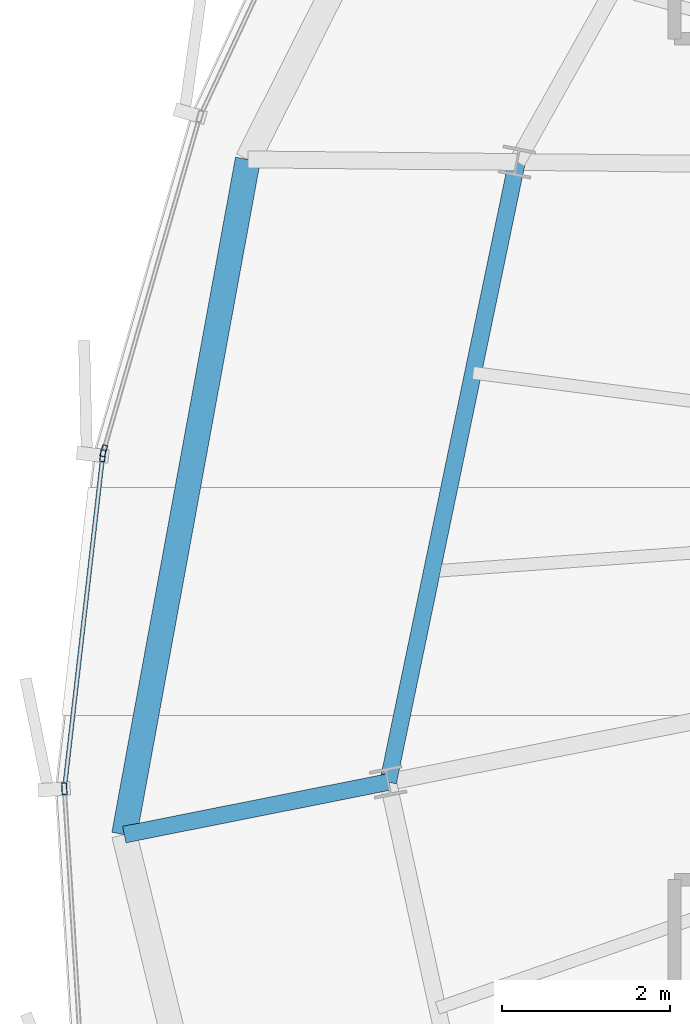
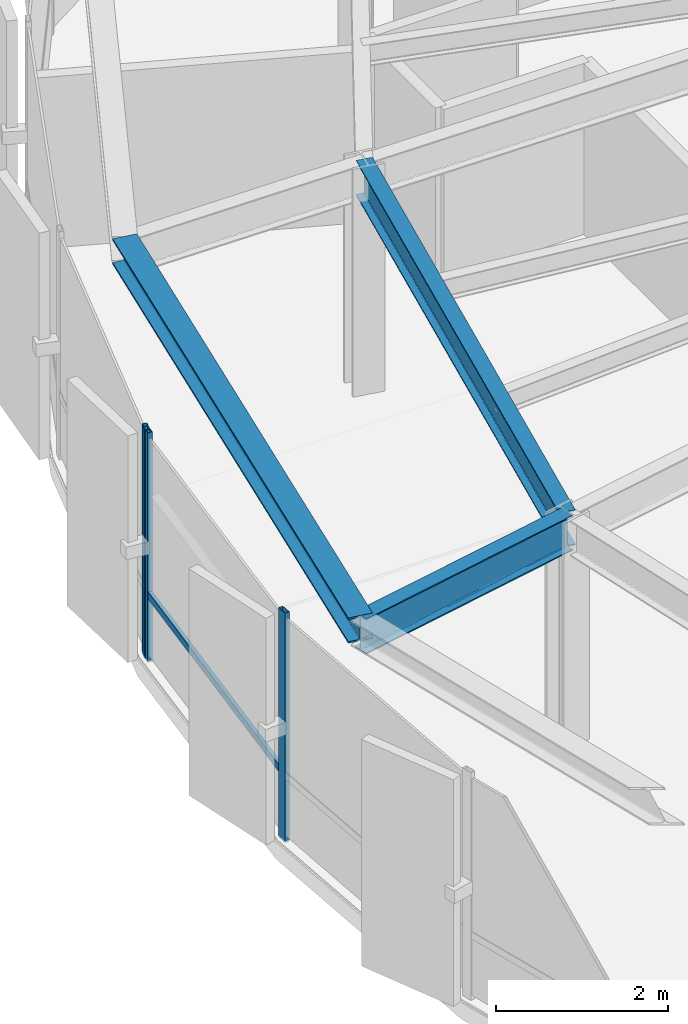
# One storey, part 8 of 33: 4 members, 3 beams, 2 elements without a shape of their own.
"""IFC4 building model written with IfcOpenShell, lengths in metres."""

from ifc_helpers import new_model, si_unit, direction, frame, origin, origin_2d, place, context, subcontext, project, spatial, hollow_rectangle, i_section, extrude, source, transform, mapped, material, layer, layer_set, material_profile, profile_set, type_object, element, aggregate, save


model = new_model("IFC4")

# Units and contexts
model_context = context("Model", 3, precision=1e-05, world=origin(), true_north=direction((0.0, 1.0)))
body_context = subcontext(model_context, "Body", "Model", "MODEL_VIEW")
ifc_project = project(units=[si_unit("LENGTHUNIT", "METRE"), si_unit("AREAUNIT", "SQUARE_METRE"), si_unit("VOLUMEUNIT", "CUBIC_METRE"), si_unit("PLANEANGLEUNIT", "RADIAN"), si_unit("MASSUNIT", "GRAM", prefix="KILO"), si_unit("THERMODYNAMICTEMPERATUREUNIT", "KELVIN")], contexts=[model_context])

# Site, building, storey
site_placement = place(None, origin())
site = spatial("IfcSite", under=ifc_project, at=site_placement, CompositionType="ELEMENT")
building_placement = place(site_placement, origin())
building = spatial("IfcBuilding", under=site, at=building_placement, Name="Kethvar Cultural Tower", CompositionType="ELEMENT")
storey_placement = place(building_placement, frame((0.0, 0.0, 211.39990234375)))
storey = spatial("IfcBuildingStorey", under=building, at=storey_placement, Name="L55", CompositionType="ELEMENT", Elevation=211.39990234375)

# Beams
ifc_material_1 = material(Name="Steel S355J2", Category="steel")
ifc_material_profile_1 = material_profile(ifc_material_1, i_section(OverallWidth=0.199951171875, OverallDepth=0.5, WebThickness=0.01025390625, FlangeThickness=0.01611328125, FilletRadius=0.02099609375, at=origin_2d()), Name="Steel S355J2 — IPE500")
ifc_profile_set_1 = profile_set([ifc_material_profile_1], Name="Steel S355J2 — IPE500")
beam_type_1 = type_object("IfcBeamType", Name="BM-IPE500", PredefinedType="BEAM", material=ifc_profile_set_1)
shared_shape_1 = source(origin(), body_context, "Body", "SweptSolid", [
    extrude(i_section(OverallWidth=0.199951171875, OverallDepth=0.5, WebThickness=0.01025390625, FlangeThickness=0.01611328125, FilletRadius=0.02099609375, at=origin_2d()), origin(), (0.0, 0.0, 1.0), 3.199951171875),
])
beam_1_placement = place(storey_placement, frame((27.492919921875, 23.959716796875, 3.008056640625), z_axis=(-0.980770949178, -0.195162356126, 0.0), x_axis=(0.195162356126, -0.980770949178, 0.0)))
element("IfcBeam", 1, at=beam_1_placement, inside=storey, type_object=beam_type_1, Name="L55 Perimeter Cantilever Beam RC-09", PredefinedType="BEAM", context=body_context, shape_type="MappedRepresentation", body=[
    mapped(shared_shape_1, transform((0.0, 0.0, 0.0), scale=1.0)),
])
shared_shape_2 = source(origin(), body_context, "Body", "SweptSolid", [
    extrude(i_section(OverallWidth=0.199951171875, OverallDepth=0.5, WebThickness=0.01025390625, FlangeThickness=0.01611328125, FilletRadius=0.02099609375, at=origin_2d()), origin(), (0.0, 0.0, 1.0), 7.533447265625),
])
beam_2_placement = place(storey_placement, frame((29.02490234375, 31.335693359375, 3.008056640625), z_axis=(-0.203358905185, -0.979104261906, 0.0), x_axis=(0.979104261906, -0.203358905185, 0.0)))
element("IfcBeam", 2, at=beam_2_placement, inside=storey, type_object=beam_type_1, Name="L55 Column Ring Tie Beam CR-08", PredefinedType="BEAM", context=body_context, shape_type="MappedRepresentation", body=[
    mapped(shared_shape_2, transform((0.0, 0.0, 0.0), scale=1.0)),
])
ifc_material_profile_2 = material_profile(ifc_material_1, i_section(OverallWidth=0.300048828125, OverallDepth=0.360107421875, WebThickness=0.012451171875, FlangeThickness=0.0224609375, FilletRadius=0.027099609375, at=origin_2d()), Name="Steel S355J2 — HEB360")
ifc_profile_set_2 = profile_set([ifc_material_profile_2], Name="Steel S355J2 — HEB360")
beam_type_2 = type_object("IfcBeamType", Name="BM-SP360", PredefinedType="SPANDREL", material=ifc_profile_set_2)
shared_shape_3 = source(origin(), body_context, "Body", "SweptSolid", [
    extrude(i_section(OverallWidth=0.300048828125, OverallDepth=0.360107421875, WebThickness=0.012451171875, FlangeThickness=0.0224609375, FilletRadius=0.027099609375, at=origin_2d()), origin(), (0.0, 0.0, 1.0), 8.16455078125),
])
beam_3_placement = place(storey_placement, frame((25.824951171875, 31.3662109375, 3.078125), z_axis=(-0.180103654572, -0.983647636916, 0.0), x_axis=(0.983647636916, -0.180103654572, 0.0)))
element("IfcBeam", 3, at=beam_3_placement, inside=storey, type_object=beam_type_2, Name="L55 Perimeter Spandrel Beam SP-08", PredefinedType="SPANDREL", context=body_context, shape_type="MappedRepresentation", body=[
    mapped(shared_shape_3, transform((0.0, 0.0, 0.0), scale=1.0)),
])

# Curtain wall, member
ifc_material_2 = material(Name="Aluminium 6063-T6", Category="aluminium")
ifc_layer = layer(ifc_material_2, 0.179931640625, Name="Aluminium 6063-T6", Category="aluminium")
ifc_layer_set = layer_set([ifc_layer], Name="Aluminium 6063-T6 (180 mm)")
curtain_wall_type = type_object("IfcCurtainWallType", Name="CW-SYS-04-Z34", PredefinedType="NOTDEFINED", material=ifc_layer_set)
curtain_wall_1_placement = place(storey_placement, origin())
curtain_wall_1 = element("IfcCurtainWall", 4, at=curtain_wall_1_placement, inside=storey, type_object=curtain_wall_type, Name="L55 Curtain Wall Run 02", PredefinedType="NOTDEFINED")
ifc_material_profile_3 = material_profile(ifc_material_2, hollow_rectangle(XDim=0.06005859375, YDim=0.139892578125, WallThickness=0.0048828125, at=origin_2d()), Name="Aluminium 6063-T6 — RHS140x60x5")
ifc_profile_set_3 = profile_set([ifc_material_profile_3], Name="Aluminium 6063-T6 — RHS140x60x5")
member_type_1 = type_object("IfcMemberType", Name="CW-SYS-04-Z34-MUL", PredefinedType="MULLION", material=ifc_profile_set_3)
shared_shape_4 = source(origin(), body_context, "Body", "SweptSolid", [
    extrude(hollow_rectangle(XDim=0.06005859375, YDim=0.139892578125, WallThickness=0.0048828125, at=origin_2d()), origin(), (0.0, 0.0, 1.0), 3.260009765625),
])
member_1_placement = place(storey_placement, frame((24.110595703125, 27.899658203125, 0.0), z_axis=(0.0, 0.0, 1.0), x_axis=(0.961054561734, -0.276358696932, 0.0)))
member_1 = element("IfcMember", 5, at=member_1_placement, type_object=member_type_1, Name="CW-L55-R02 Mullion 7", PredefinedType="MULLION", context=body_context, shape_type="MappedRepresentation", body=[
    mapped(shared_shape_4, transform((0.0, 0.0, 0.0), scale=1.0)),
])
aggregate(curtain_wall_1, [member_1])

# Curtain wall, members
curtain_wall_2_placement = place(storey_placement, origin())
curtain_wall_2 = element("IfcCurtainWall", 6, at=curtain_wall_2_placement, inside=storey, type_object=curtain_wall_type, Name="L55 Curtain Wall Run 03", PredefinedType="NOTDEFINED")
member_2_placement = place(storey_placement, frame((24.098876953125, 27.84130859375, 0.0), z_axis=(0.0, 0.0, 1.0), x_axis=(0.993458745203, -0.1141916003, 0.0)))
member_2 = element("IfcMember", 7, at=member_2_placement, type_object=member_type_1, Name="CW-L55-R03 Mullion 1", PredefinedType="MULLION", context=body_context, shape_type="MappedRepresentation", body=[
    mapped(shared_shape_4, transform((0.0, 0.0, 0.0), scale=1.0)),
])
member_3_placement = place(storey_placement, frame((23.641845703125, 23.881103515625, 0.0), z_axis=(0.0, 0.0, 1.0), x_axis=(0.998028919623, 0.062755681786, 0.0)))
member_3 = element("IfcMember", 8, at=member_3_placement, type_object=member_type_1, Name="CW-L55-R03 Mullion 2", PredefinedType="MULLION", context=body_context, shape_type="MappedRepresentation", body=[
    mapped(shared_shape_4, transform((0.0, 0.0, 0.0), scale=1.0)),
])
ifc_material_profile_4 = material_profile(ifc_material_2, hollow_rectangle(XDim=0.050048828125, YDim=0.10009765625, WallThickness=0.00390625, at=origin_2d()), Name="Aluminium 6063-T6 — RHS100x50x4")
ifc_profile_set_4 = profile_set([ifc_material_profile_4], Name="Aluminium 6063-T6 — RHS100x50x4")
member_type_2 = type_object("IfcMemberType", Name="CW-SYS-04-Z34-TRN", PredefinedType="USERDEFINED", material=ifc_profile_set_4)
shared_shape_5 = source(origin(), body_context, "Body", "SweptSolid", [
    extrude(hollow_rectangle(XDim=0.050048828125, YDim=0.10009765625, WallThickness=0.00390625, at=origin_2d()), origin(), (0.0, 0.0, 1.0), 3.95849609375),
])
member_4_placement = place(storey_placement, frame((24.098388671875, 27.837158203125, 0.9501953125), z_axis=(-0.114221457623, -0.993455312844, 0.0), x_axis=(0.993455312844, -0.114221457623, 0.0)))
member_4 = element("IfcMember", 9, at=member_4_placement, type_object=member_type_2, Name="CW-L55-R03 Transom 1", ObjectType="TRANSOM", PredefinedType="USERDEFINED", context=body_context, shape_type="MappedRepresentation", body=[
    mapped(shared_shape_5, transform((0.0, 0.0, 0.0), scale=1.0)),
])
aggregate(curtain_wall_2, [member_2, member_3, member_4])

save(model, "model.ifc")
